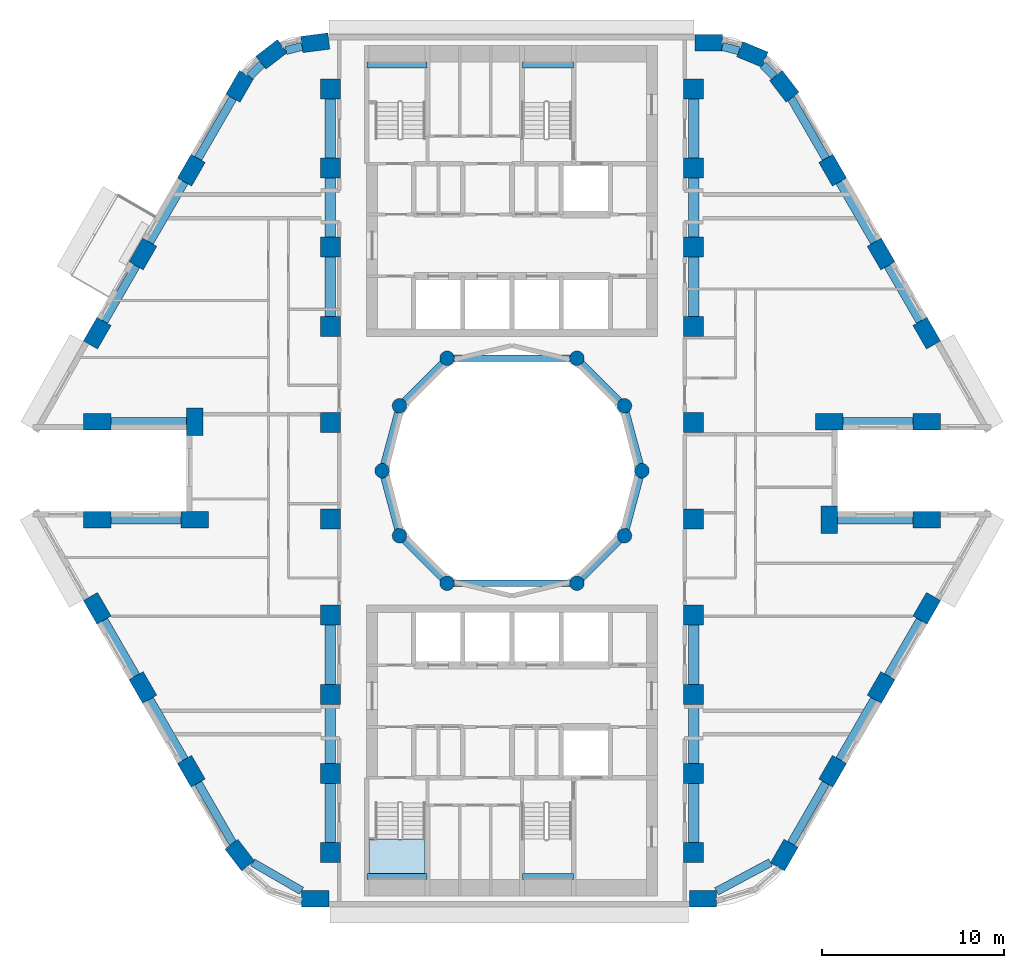
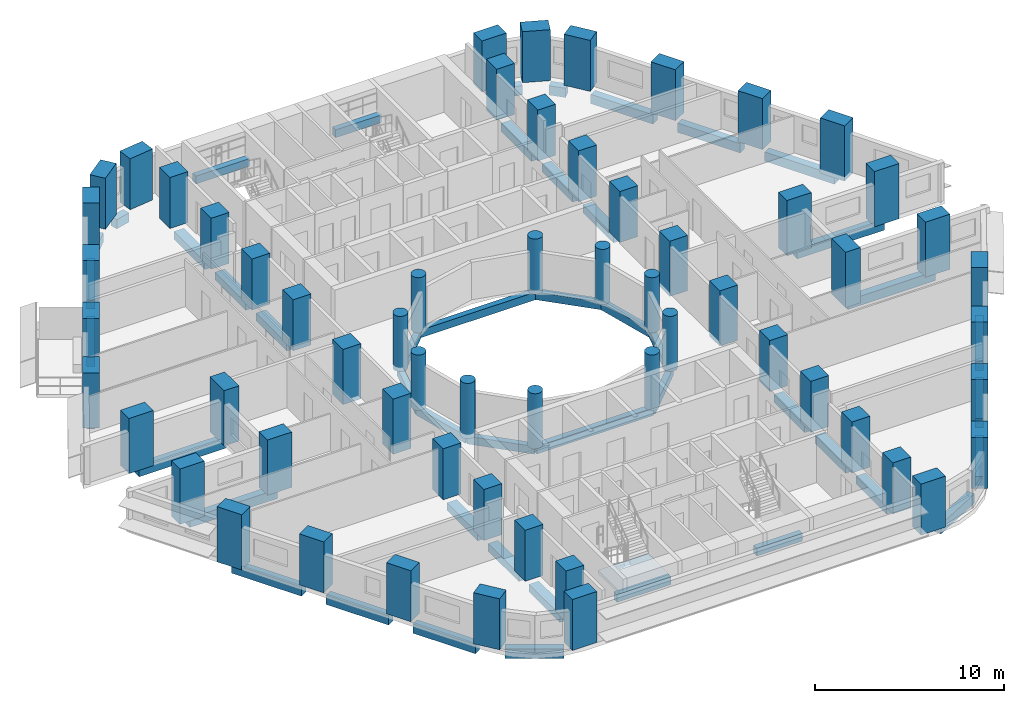
# One storey, part 1 of 13: 60 columns, 48 beams, 1 slab, 1 element without a shape of its own.
"""IFC4 building model written with IfcOpenShell, lengths in metres."""

from ifc_helpers import new_model, si_unit, direction, frame, origin, origin_2d, place, context, subcontext, project, spatial, polyline, rectangle, circle, outline, extrude, material, layer, layer_set, material_profile, profile_set, type_object, element, aggregate, save


model = new_model("IFC4")

# Units and contexts
model_context = context("Model", 3, precision=1e-05, world=origin(), true_north=direction((0.0, 1.0)))
body_context = subcontext(model_context, "Body", "Model", "MODEL_VIEW")
ifc_project = project(units=[si_unit("LENGTHUNIT", "METRE"), si_unit("AREAUNIT", "SQUARE_METRE"), si_unit("VOLUMEUNIT", "CUBIC_METRE"), si_unit("PLANEANGLEUNIT", "RADIAN"), si_unit("MASSUNIT", "GRAM", prefix="KILO")], contexts=[model_context])

# Site, building, storey
site_placement = place(None, origin())
site = spatial("IfcSite", under=ifc_project, at=site_placement, CompositionType="ELEMENT")
building_placement = place(site_placement, origin())
building = spatial("IfcBuilding", under=site, at=building_placement, Name="Nakaniwa Court", CompositionType="ELEMENT")
storey_placement = place(building_placement, frame((0.0, 0.0, 41.39990234375)))
storey = spatial("IfcBuildingStorey", under=building, at=storey_placement, Name="L10", CompositionType="ELEMENT", Elevation=41.39990234375)

# Columns
ifc_material_1 = material(Name="Concrete C100/115", Category="concrete")
ifc_material_profile_1 = material_profile(ifc_material_1, rectangle(XDim=1.10009765625, YDim=1.10009765625, at=origin_2d()), Name="Concrete C100/115 RC 1100x1100 spine column")
ifc_profile_set_1 = profile_set([ifc_material_profile_1], Name="Concrete C100/115")
column_type_1 = type_object("IfcColumnType", Name="Concrete C100/115 RC 1100x1100 spine column", PredefinedType="COLUMN", material=ifc_profile_set_1)
for number, where, z_axis, x_axis, name in (
    (1, (90.0, 59.0, 0.0), (0.0, 0.0, 1.0), (0.0, 1.0, 0.0), "COLUMN CS-01"),
    (2, (90.0, 63.35009765625, 0.0), (0.0, 0.0, 1.0), (0.0, 1.0, 0.0), "COLUMN CS-02"),
    (3, (90.0, 67.699951171875, 0.0), (0.0, 0.0, 1.0), (0.0, 1.0, 0.0), "COLUMN CS-03"),
    (4, (90.0, 72.050048828125, 0.0), (0.0, 0.0, 1.0), (0.0, 1.0, 0.0), "COLUMN CS-04"),
):
    element("IfcColumn", number, at=place(storey_placement, frame(where, z_axis=z_axis, x_axis=x_axis)), inside=storey, type_object=column_type_1, Name=name, PredefinedType="COLUMN", context=body_context, shape_type="SweptSolid", body=[
        extrude(rectangle(XDim=1.10009765625, YDim=1.10009765625, at=origin_2d()), origin(), (0.0, 0.0, 1.0), 3.300048828125),
    ])
for number, where, z_axis, x_axis, name in (
    (5, (90.0, 77.35009765625, -0.27490234375), (0.0, 0.0, 1.0), (0.0, 1.0, 0.0), "COLUMN CS-05"),
    (6, (90.0, 82.64990234375, -0.27490234375), (0.0, 0.0, 1.0), (0.0, 1.0, 0.0), "COLUMN CS-06"),
):
    element("IfcColumn", number, at=place(storey_placement, frame(where, z_axis=z_axis, x_axis=x_axis)), inside=storey, type_object=column_type_1, Name=name, PredefinedType="COLUMN", context=body_context, shape_type="SweptSolid", body=[
        extrude(rectangle(XDim=1.10009765625, YDim=1.10009765625, at=origin_2d()), origin(), (0.0, 0.0, 1.0), 3.574951171875),
    ])
for number, where, z_axis, x_axis, name in (
    (7, (90.0, 87.949951171875, 0.0), (0.0, 0.0, 1.0), (0.0, 1.0, 0.0), "COLUMN CS-07"),
    (8, (90.0, 92.300048828125, 0.0), (0.0, 0.0, 1.0), (0.0, 1.0, 0.0), "COLUMN CS-08"),
    (9, (90.0, 96.64990234375, 0.0), (0.0, 0.0, 1.0), (0.0, 1.0, 0.0), "COLUMN CS-09"),
    (10, (90.0, 101.0, 0.0), (0.0, 0.0, 1.0), (0.0, 1.0, 0.0), "COLUMN CS-10"),
    (11, (70.0, 101.0, 0.0), (0.0, 0.0, 1.0), (0.0, -1.0, 0.0), "COLUMN CS-11"),
    (12, (70.0, 96.64990234375, 0.0), (0.0, 0.0, 1.0), (0.0, -1.0, 0.0), "COLUMN CS-12"),
    (13, (70.0, 92.300048828125, 0.0), (0.0, 0.0, 1.0), (0.0, -1.0, 0.0), "COLUMN CS-13"),
    (14, (70.0, 87.949951171875, 0.0), (0.0, 0.0, 1.0), (0.0, -1.0, 0.0), "COLUMN CS-14"),
):
    element("IfcColumn", number, at=place(storey_placement, frame(where, z_axis=z_axis, x_axis=x_axis)), inside=storey, type_object=column_type_1, Name=name, PredefinedType="COLUMN", context=body_context, shape_type="SweptSolid", body=[
        extrude(rectangle(XDim=1.10009765625, YDim=1.10009765625, at=origin_2d()), origin(), (0.0, 0.0, 1.0), 3.300048828125),
    ])
for number, where, z_axis, x_axis, name in (
    (15, (70.0, 82.64990234375, -0.27490234375), (0.0, 0.0, 1.0), (0.0, -1.0, 0.0), "COLUMN CS-15"),
    (16, (70.0, 77.35009765625, -0.27490234375), (0.0, 0.0, 1.0), (0.0, -1.0, 0.0), "COLUMN CS-16"),
):
    element("IfcColumn", number, at=place(storey_placement, frame(where, z_axis=z_axis, x_axis=x_axis)), inside=storey, type_object=column_type_1, Name=name, PredefinedType="COLUMN", context=body_context, shape_type="SweptSolid", body=[
        extrude(rectangle(XDim=1.10009765625, YDim=1.10009765625, at=origin_2d()), origin(), (0.0, 0.0, 1.0), 3.574951171875),
    ])
for number, where, z_axis, x_axis, name in (
    (17, (70.0, 72.050048828125, 0.0), (0.0, 0.0, 1.0), (0.0, -1.0, 0.0), "COLUMN CS-17"),
    (18, (70.0, 67.699951171875, 0.0), (0.0, 0.0, 1.0), (0.0, -1.0, 0.0), "COLUMN CS-18"),
    (19, (70.0, 63.35009765625, 0.0), (0.0, 0.0, 1.0), (0.0, -1.0, 0.0), "COLUMN CS-19"),
    (20, (70.0, 59.0, 0.0), (0.0, 0.0, 1.0), (0.0, -1.0, 0.0), "COLUMN CS-20"),
):
    element("IfcColumn", number, at=place(storey_placement, frame(where, z_axis=z_axis, x_axis=x_axis)), inside=storey, type_object=column_type_1, Name=name, PredefinedType="COLUMN", context=body_context, shape_type="SweptSolid", body=[
        extrude(rectangle(XDim=1.10009765625, YDim=1.10009765625, at=origin_2d()), origin(), (0.0, 0.0, 1.0), 3.300048828125),
    ])
ifc_material_profile_2 = material_profile(ifc_material_1, rectangle(XDim=1.5, YDim=0.89990234375, at=origin_2d()), Name="Concrete C100/115 RC 1500x900 perimeter column")
ifc_profile_set_2 = profile_set([ifc_material_profile_2], Name="Concrete C100/115")
column_type_2 = type_object("IfcColumnType", Name="Concrete C100/115 RC 1500x900 perimeter column", PredefinedType="COLUMN", material=ifc_profile_set_2)
for number, where, z_axis, x_axis, name in (
    (21, (69.17529296875, 103.550048828125, 0.0), (0.0, 0.0, 1.0), (-0.991442583111, -0.130543496177, 0.0), "COLUMN CO-01"),
    (22, (66.772705078125, 102.91015625, 0.0), (0.0, 0.0, 1.0), (-0.793363965062, -0.608747582288, 0.0), "COLUMN CO-02"),
    (23, (65.017578125, 101.1494140625, 0.0), (0.0, 0.0, 1.0), (-0.5, -0.866025403784, 0.0), "COLUMN CO-03"),
    (24, (62.3544921875, 96.537109375, 0.0), (0.0, 0.0, 1.0), (-0.5, -0.866025403784, 0.0), "COLUMN CO-04"),
    (25, (59.691650390625, 91.9248046875, 0.0), (0.0, 0.0, 1.0), (-0.5, -0.866025403784, 0.0), "COLUMN CO-05"),
):
    element("IfcColumn", number, at=place(storey_placement, frame(where, z_axis=z_axis, x_axis=x_axis)), inside=storey, type_object=column_type_2, Name=name, PredefinedType="COLUMN", context=body_context, shape_type="SweptSolid", body=[
        extrude(rectangle(XDim=1.5, YDim=0.89990234375, at=origin_2d()), origin(), (0.0, 0.0, 1.0), 3.300048828125),
    ])
for number, where, z_axis, x_axis, name in (
    (26, (57.177001953125, 87.569580078125, -0.27490234375), (0.0, 0.0, 1.0), (-0.5, -0.866025403784, 0.0), "COLUMN CO-06"),
    (27, (57.177001953125, 82.699951171875, -0.27490234375), (0.0, 0.0, 1.0), (1.0, 0.0, 0.0), "COLUMN CO-08"),
    (28, (62.54150390625, 82.699951171875, -0.27490234375), (0.0, 0.0, 1.0), (0.0, -1.0, 0.0), "COLUMN CO-09"),
    (29, (62.54150390625, 77.300048828125, -0.27490234375), (0.0, 0.0, 1.0), (-1.0, 0.0, 0.0), "COLUMN CO-10"),
    (30, (57.177001953125, 77.300048828125, -0.27490234375), (0.0, 0.0, 1.0), (-1.0, 0.0, 0.0), "COLUMN CO-11"),
    (31, (57.177001953125, 72.430419921875, -0.27490234375), (0.0, 0.0, 1.0), (0.5, -0.866025403784, 0.0), "COLUMN CO-13"),
):
    element("IfcColumn", number, at=place(storey_placement, frame(where, z_axis=z_axis, x_axis=x_axis)), inside=storey, type_object=column_type_2, Name=name, PredefinedType="COLUMN", context=body_context, shape_type="SweptSolid", body=[
        extrude(rectangle(XDim=1.5, YDim=0.89990234375, at=origin_2d()), origin(), (0.0, 0.0, 1.0), 3.574951171875),
    ])
for number, where, z_axis, x_axis, name in (
    (32, (59.691650390625, 68.0751953125, 0.0), (0.0, 0.0, 1.0), (0.5, -0.866025403784, 0.0), "COLUMN CO-14"),
    (33, (62.3544921875, 63.462890625, 0.0), (0.0, 0.0, 1.0), (0.5, -0.866025403784, 0.0), "COLUMN CO-15"),
    (34, (65.017578125, 58.8505859375, 0.0), (0.0, 0.0, 1.0), (0.608761429009, -0.793353340291, 0.0), "COLUMN CO-16"),
    (35, (69.17529296875, 56.449951171875, 0.0), (0.0, 0.0, 1.0), (1.0, 0.0, 0.0), "COLUMN CO-17"),
    (36, (90.507080078125, 56.449951171875, 0.0), (0.0, 0.0, 1.0), (1.0, 0.0, 0.0), "COLUMN CO-21"),
    (37, (94.982421875, 58.8505859375, 0.0), (0.0, 0.0, 1.0), (0.5, 0.866025403784, 0.0), "COLUMN CO-22"),
    (38, (97.6455078125, 63.462890625, 0.0), (0.0, 0.0, 1.0), (0.5, 0.866025403784, 0.0), "COLUMN CO-23"),
    (39, (100.308349609375, 68.0751953125, 0.0), (0.0, 0.0, 1.0), (0.5, 0.866025403784, 0.0), "COLUMN CO-24"),
):
    element("IfcColumn", number, at=place(storey_placement, frame(where, z_axis=z_axis, x_axis=x_axis)), inside=storey, type_object=column_type_2, Name=name, PredefinedType="COLUMN", context=body_context, shape_type="SweptSolid", body=[
        extrude(rectangle(XDim=1.5, YDim=0.89990234375, at=origin_2d()), origin(), (0.0, 0.0, 1.0), 3.300048828125),
    ])
for number, where, z_axis, x_axis, name in (
    (40, (102.822998046875, 72.430419921875, -0.27490234375), (0.0, 0.0, 1.0), (0.5, 0.866025403784, 0.0), "COLUMN CO-25"),
    (41, (102.822998046875, 77.300048828125, -0.27490234375), (0.0, 0.0, 1.0), (-1.0, 0.0, 0.0), "COLUMN CO-27"),
    (42, (97.45849609375, 77.300048828125, -0.27490234375), (0.0, 0.0, 1.0), (0.0, 1.0, 0.0), "COLUMN CO-28"),
    (43, (97.45849609375, 82.699951171875, -0.27490234375), (0.0, 0.0, 1.0), (1.0, 0.0, 0.0), "COLUMN CO-29"),
    (44, (102.822998046875, 82.699951171875, -0.27490234375), (0.0, 0.0, 1.0), (1.0, 0.0, 0.0), "COLUMN CO-30"),
    (45, (102.822998046875, 87.569580078125, -0.27490234375), (0.0, 0.0, 1.0), (-0.5, 0.866025403784, 0.0), "COLUMN CO-32"),
):
    element("IfcColumn", number, at=place(storey_placement, frame(where, z_axis=z_axis, x_axis=x_axis)), inside=storey, type_object=column_type_2, Name=name, PredefinedType="COLUMN", context=body_context, shape_type="SweptSolid", body=[
        extrude(rectangle(XDim=1.5, YDim=0.89990234375, at=origin_2d()), origin(), (0.0, 0.0, 1.0), 3.574951171875),
    ])
for number, where, z_axis, x_axis, name in (
    (46, (100.308349609375, 91.9248046875, 0.0), (0.0, 0.0, 1.0), (-0.5, 0.866025403784, 0.0), "COLUMN CO-33"),
    (47, (97.6455078125, 96.537109375, 0.0), (0.0, 0.0, 1.0), (-0.5, 0.866025403784, 0.0), "COLUMN CO-34"),
    (48, (94.982421875, 101.1494140625, 0.0), (0.0, 0.0, 1.0), (-0.608761429009, 0.793353340291, 0.0), "COLUMN CO-35"),
    (49, (93.227294921875, 102.91015625, 0.0), (0.0, 0.0, 1.0), (-0.923879532511, 0.382683432365, 0.0), "COLUMN CO-36"),
    (50, (90.82470703125, 103.550048828125, 0.0), (0.0, 0.0, 1.0), (-1.0, 0.0, 0.0), "COLUMN CO-37"),
):
    element("IfcColumn", number, at=place(storey_placement, frame(where, z_axis=z_axis, x_axis=x_axis)), inside=storey, type_object=column_type_2, Name=name, PredefinedType="COLUMN", context=body_context, shape_type="SweptSolid", body=[
        extrude(rectangle(XDim=1.5, YDim=0.89990234375, at=origin_2d()), origin(), (0.0, 0.0, 1.0), 3.300048828125),
    ])
ifc_material_profile_3 = material_profile(ifc_material_1, circle(Radius=0.39990234375, at=origin_2d()), Name="Concrete C100/115 RC D800 inner ring column")
ifc_profile_set_3 = profile_set([ifc_material_profile_3], Name="Concrete C100/115")
column_type_3 = type_object("IfcColumnType", Name="Concrete C100/115 RC D800 inner ring column", PredefinedType="COLUMN", material=ifc_profile_set_3)
for number, where, z_axis, x_axis, name in (
    (51, (87.14990234375, 80.0, -0.27490234375), (0.0, 0.0, 1.0), (0.0, 1.0, 0.0), "COLUMN CI-01"),
    (52, (86.192138671875, 83.574951171875, -0.27490234375), (0.0, 0.0, 1.0), (-0.5, 0.866025403784, 0.0), "COLUMN CI-02"),
    (53, (83.574951171875, 86.192138671875, -0.27490234375), (0.0, 0.0, 1.0), (-0.866025403784, 0.5, 0.0), "COLUMN CI-03"),
    (54, (76.425048828125, 86.192138671875, -0.27490234375), (0.0, 0.0, 1.0), (-0.866025403784, -0.5, 0.0), "COLUMN CI-05"),
    (55, (73.807861328125, 83.574951171875, -0.27490234375), (0.0, 0.0, 1.0), (-0.5, -0.866025403784, 0.0), "COLUMN CI-06"),
    (56, (72.85009765625, 80.0, -0.27490234375), (0.0, 0.0, 1.0), (0.0, -1.0, 0.0), "COLUMN CI-07"),
    (57, (73.807861328125, 76.425048828125, -0.27490234375), (0.0, 0.0, 1.0), (0.5, -0.866025403784, 0.0), "COLUMN CI-08"),
    (58, (76.425048828125, 73.807861328125, -0.27490234375), (0.0, 0.0, 1.0), (0.866025403784, -0.5, 0.0), "COLUMN CI-09"),
    (59, (83.574951171875, 73.807861328125, -0.27490234375), (0.0, 0.0, 1.0), (0.866025403784, 0.5, 0.0), "COLUMN CI-11"),
    (60, (86.192138671875, 76.425048828125, -0.27490234375), (0.0, 0.0, 1.0), (0.5, 0.866025403784, 0.0), "COLUMN CI-12"),
):
    element("IfcColumn", number, at=place(storey_placement, frame(where, z_axis=z_axis, x_axis=x_axis)), inside=storey, type_object=column_type_3, Name=name, PredefinedType="COLUMN", context=body_context, shape_type="SweptSolid", body=[
        extrude(circle(Radius=0.39990234375, at=origin_2d()), origin(), (0.0, 0.0, 1.0), 3.574951171875),
    ])

# Beams
ifc_material_profile_4 = material_profile(ifc_material_1, rectangle(XDim=0.35009765625, YDim=0.5, at=origin_2d()), Name="Concrete C100/115 RC 350x500 ring beam")
ifc_profile_set_4 = profile_set([ifc_material_profile_4], Name="Concrete C100/115")
beam_type_1 = type_object("IfcBeamType", Name="Concrete C100/115 RC 350x500 ring beam", PredefinedType="BEAM", material=ifc_profile_set_4)
beam_1_placement = place(storey_placement, frame((87.14990234375, 80.0, -0.52490234375), z_axis=(-0.25878334625, 0.965935391061, 0.0), x_axis=(-0.965935391061, -0.25878334625, 0.0)))
element("IfcBeam", 61, at=beam_1_placement, inside=storey, type_object=beam_type_1, Name="RING BEAM", PredefinedType="BEAM", context=body_context, shape_type="SweptSolid", body=[
    extrude(rectangle(XDim=0.35009765625, YDim=0.5, at=origin_2d()), origin(), (0.0, 0.0, 1.0), 3.700927734375),
])
beam_2_placement = place(storey_placement, frame((86.192138671875, 83.574951171875, -0.52490234375), z_axis=(-0.707106781187, 0.707106781187, 0.0), x_axis=(-0.707106781187, -0.707106781187, 0.0)))
element("IfcBeam", 62, at=beam_2_placement, inside=storey, type_object=beam_type_1, Name="RING BEAM", PredefinedType="BEAM", context=body_context, shape_type="SweptSolid", body=[
    extrude(rectangle(XDim=0.35009765625, YDim=0.5, at=origin_2d()), origin(), (0.0, 0.0, 1.0), 3.701171875),
])
beam_3_placement = place(storey_placement, frame((83.574951171875, 86.192138671875, -0.52490234375), z_axis=(-1.0, 0.0, 0.0), x_axis=(0.0, -1.0, 0.0)))
element("IfcBeam", 63, at=beam_3_placement, inside=storey, type_object=beam_type_1, Name="RING BEAM", PredefinedType="BEAM", context=body_context, shape_type="SweptSolid", body=[
    extrude(rectangle(XDim=0.35009765625, YDim=0.5, at=origin_2d()), origin(), (0.0, 0.0, 1.0), 7.14990234375),
])
beam_4_placement = place(storey_placement, frame((76.425048828125, 86.192138671875, -0.52490234375), z_axis=(-0.707106781187, -0.707106781187, 0.0), x_axis=(0.707106781187, -0.707106781187, 0.0)))
element("IfcBeam", 64, at=beam_4_placement, inside=storey, type_object=beam_type_1, Name="RING BEAM", PredefinedType="BEAM", context=body_context, shape_type="SweptSolid", body=[
    extrude(rectangle(XDim=0.35009765625, YDim=0.5, at=origin_2d()), origin(), (0.0, 0.0, 1.0), 3.701171875),
])
for number, where, z_axis, x_axis, name in (
    (65, (73.807861328125, 83.574951171875, -0.52490234375), (-0.25878334625, -0.965935391061, 0.0), (0.965935391061, -0.25878334625, 0.0), "RING BEAM"),
    (66, (72.85009765625, 80.0, -0.52490234375), (0.25878334625, -0.965935391061, 0.0), (0.965935391061, 0.25878334625, 0.0), "RING BEAM"),
):
    element("IfcBeam", number, at=place(storey_placement, frame(where, z_axis=z_axis, x_axis=x_axis)), inside=storey, type_object=beam_type_1, Name=name, PredefinedType="BEAM", context=body_context, shape_type="SweptSolid", body=[
        extrude(rectangle(XDim=0.35009765625, YDim=0.5, at=origin_2d()), origin(), (0.0, 0.0, 1.0), 3.700927734375),
    ])
beam_5_placement = place(storey_placement, frame((73.807861328125, 76.425048828125, -0.52490234375), z_axis=(0.707106781187, -0.707106781187, 0.0), x_axis=(0.707106781187, 0.707106781187, 0.0)))
element("IfcBeam", 67, at=beam_5_placement, inside=storey, type_object=beam_type_1, Name="RING BEAM", PredefinedType="BEAM", context=body_context, shape_type="SweptSolid", body=[
    extrude(rectangle(XDim=0.35009765625, YDim=0.5, at=origin_2d()), origin(), (0.0, 0.0, 1.0), 3.701171875),
])
beam_6_placement = place(storey_placement, frame((76.425048828125, 73.807861328125, -0.52490234375), z_axis=(1.0, 0.0, 0.0), x_axis=(0.0, 1.0, 0.0)))
element("IfcBeam", 68, at=beam_6_placement, inside=storey, type_object=beam_type_1, Name="RING BEAM", PredefinedType="BEAM", context=body_context, shape_type="SweptSolid", body=[
    extrude(rectangle(XDim=0.35009765625, YDim=0.5, at=origin_2d()), origin(), (0.0, 0.0, 1.0), 7.14990234375),
])
beam_7_placement = place(storey_placement, frame((83.574951171875, 73.807861328125, -0.52490234375), z_axis=(0.707106781187, 0.707106781187, 0.0), x_axis=(-0.707106781187, 0.707106781187, 0.0)))
element("IfcBeam", 69, at=beam_7_placement, inside=storey, type_object=beam_type_1, Name="RING BEAM", PredefinedType="BEAM", context=body_context, shape_type="SweptSolid", body=[
    extrude(rectangle(XDim=0.35009765625, YDim=0.5, at=origin_2d()), origin(), (0.0, 0.0, 1.0), 3.701171875),
])
beam_8_placement = place(storey_placement, frame((86.192138671875, 76.425048828125, -0.52490234375), z_axis=(0.25878334625, 0.965935391061, 0.0), x_axis=(-0.965935391061, 0.25878334625, 0.0)))
element("IfcBeam", 70, at=beam_8_placement, inside=storey, type_object=beam_type_1, Name="RING BEAM", PredefinedType="BEAM", context=body_context, shape_type="SweptSolid", body=[
    extrude(rectangle(XDim=0.35009765625, YDim=0.5, at=origin_2d()), origin(), (0.0, 0.0, 1.0), 3.700927734375),
])
ifc_material_profile_5 = material_profile(ifc_material_1, rectangle(XDim=0.449951171875, YDim=0.60009765625, at=origin_2d()), Name="Concrete C100/115 RC 450x600 spandrel beam")
ifc_profile_set_5 = profile_set([ifc_material_profile_5], Name="Concrete C100/115")
beam_type_2 = type_object("IfcBeamType", Name="Concrete C100/115 RC 450x600 spandrel beam", PredefinedType="BEAM", material=ifc_profile_set_5)
beam_9_placement = place(storey_placement, frame((68.444580078125, 103.35546875, -0.574951171875), z_axis=(-0.966287893493, -0.25746399144, 0.0), x_axis=(0.25746399144, -0.966287893493, 0.0)))
element("IfcBeam", 71, at=beam_9_placement, inside=storey, type_object=beam_type_2, Name="SPANDREL BEAM", PredefinedType="BEAM", context=body_context, shape_type="SweptSolid", body=[
    extrude(rectangle(XDim=0.449951171875, YDim=0.60009765625, at=origin_2d()), origin(), (0.0, 0.0, 1.0), 0.91796875),
])
beam_10_placement = place(storey_placement, frame((66.238525390625, 102.374267578125, -0.574951171875), z_axis=(-0.706081618928, -0.708130459317, 0.0), x_axis=(0.708130459317, -0.706081618928, 0.0)))
element("IfcBeam", 72, at=beam_10_placement, inside=storey, type_object=beam_type_2, Name="SPANDREL BEAM", PredefinedType="BEAM", context=body_context, shape_type="SweptSolid", body=[
    extrude(rectangle(XDim=0.449951171875, YDim=0.60009765625, at=origin_2d()), origin(), (0.0, 0.0, 1.0), 0.953369140625),
])
beam_11_placement = place(storey_placement, frame((64.642578125, 100.5, -0.574951171875), z_axis=(-0.500009674092, -0.866019818373, 0.0), x_axis=(0.866019818373, -0.500009674092, 0.0)))
element("IfcBeam", 73, at=beam_11_placement, inside=storey, type_object=beam_type_2, Name="SPANDREL BEAM", PredefinedType="BEAM", context=body_context, shape_type="SweptSolid", body=[
    extrude(rectangle(XDim=0.449951171875, YDim=0.60009765625, at=origin_2d()), origin(), (0.0, 0.0, 1.0), 3.826171875),
])
beam_12_placement = place(storey_placement, frame((61.9794921875, 95.8876953125, -0.574951171875), z_axis=(-0.499961815444, -0.866047448526, 0.0), x_axis=(0.866047448526, -0.499961815444, 0.0)))
element("IfcBeam", 74, at=beam_12_placement, inside=storey, type_object=beam_type_2, Name="SPANDREL BEAM", PredefinedType="BEAM", context=body_context, shape_type="SweptSolid", body=[
    extrude(rectangle(XDim=0.449951171875, YDim=0.60009765625, at=origin_2d()), origin(), (0.0, 0.0, 1.0), 3.825927734375),
])
beam_13_placement = place(storey_placement, frame((59.316650390625, 91.275146484375, -0.574951171875), z_axis=(-0.50004183374, -0.866001249716, 0.0), x_axis=(0.866001249716, -0.50004183374, 0.0)))
element("IfcBeam", 75, at=beam_13_placement, inside=storey, type_object=beam_type_2, Name="SPANDREL BEAM", PredefinedType="BEAM", context=body_context, shape_type="SweptSolid", body=[
    extrude(rectangle(XDim=0.449951171875, YDim=0.60009765625, at=origin_2d()), origin(), (0.0, 0.0, 1.0), 4.279052734375),
])
for number, where, z_axis, x_axis, name in (
    (76, (57.177001953125, 82.699951171875, -0.574951171875), (1.0, 0.0, 0.0), (0.0, 1.0, 0.0), "SPANDREL BEAM"),
    (77, (62.54150390625, 77.300048828125, -0.574951171875), (-1.0, 0.0, 0.0), (0.0, -1.0, 0.0), "SPANDREL BEAM"),
):
    element("IfcBeam", number, at=place(storey_placement, frame(where, z_axis=z_axis, x_axis=x_axis)), inside=storey, type_object=beam_type_2, Name=name, PredefinedType="BEAM", context=body_context, shape_type="SweptSolid", body=[
        extrude(rectangle(XDim=0.449951171875, YDim=0.60009765625, at=origin_2d()), origin(), (0.0, 0.0, 1.0), 5.364501953125),
    ])
beam_14_placement = place(storey_placement, frame((57.177001953125, 72.430419921875, -0.574951171875), z_axis=(0.50004183374, -0.866001249716, 0.0), x_axis=(0.866001249716, 0.50004183374, 0.0)))
element("IfcBeam", 78, at=beam_14_placement, inside=storey, type_object=beam_type_2, Name="SPANDREL BEAM", PredefinedType="BEAM", context=body_context, shape_type="SweptSolid", body=[
    extrude(rectangle(XDim=0.449951171875, YDim=0.60009765625, at=origin_2d()), origin(), (0.0, 0.0, 1.0), 4.279052734375),
])
beam_15_placement = place(storey_placement, frame((60.066650390625, 67.42578125, -0.574951171875), z_axis=(0.499961815444, -0.866047448526, 0.0), x_axis=(0.866047448526, 0.499961815444, 0.0)))
element("IfcBeam", 79, at=beam_15_placement, inside=storey, type_object=beam_type_2, Name="SPANDREL BEAM", PredefinedType="BEAM", context=body_context, shape_type="SweptSolid", body=[
    extrude(rectangle(XDim=0.449951171875, YDim=0.60009765625, at=origin_2d()), origin(), (0.0, 0.0, 1.0), 3.825927734375),
])
beam_16_placement = place(storey_placement, frame((62.7294921875, 62.8134765625, -0.574951171875), z_axis=(0.500023067617, -0.86601208528, 0.0), x_axis=(0.86601208528, 0.500023067617, 0.0)))
element("IfcBeam", 80, at=beam_16_placement, inside=storey, type_object=beam_type_2, Name="SPANDREL BEAM", PredefinedType="BEAM", context=body_context, shape_type="SweptSolid", body=[
    extrude(rectangle(XDim=0.449951171875, YDim=0.60009765625, at=origin_2d()), origin(), (0.0, 0.0, 1.0), 3.819580078125),
])
beam_17_placement = place(storey_placement, frame((65.720458984375, 58.444580078125, -0.574951171875), z_axis=(0.866041096587, -0.499972818284, 0.0), x_axis=(0.499972818284, 0.866041096587, 0.0)))
element("IfcBeam", 81, at=beam_17_placement, inside=storey, type_object=beam_type_2, Name="SPANDREL BEAM", PredefinedType="BEAM", context=body_context, shape_type="SweptSolid", body=[
    extrude(rectangle(XDim=0.449951171875, YDim=0.60009765625, at=origin_2d()), origin(), (0.0, 0.0, 1.0), 3.123291015625),
])
beam_18_placement = place(storey_placement, frame((91.257080078125, 56.852294921875, -0.574951171875), z_axis=(0.881234537383, 0.472679267711, 0.0), x_axis=(-0.472679267711, 0.881234537383, 0.0)))
element("IfcBeam", 82, at=beam_18_placement, inside=storey, type_object=beam_type_2, Name="SPANDREL BEAM", PredefinedType="BEAM", context=body_context, shape_type="SweptSolid", body=[
    extrude(rectangle(XDim=0.449951171875, YDim=0.60009765625, at=origin_2d()), origin(), (0.0, 0.0, 1.0), 3.373291015625),
])
beam_19_placement = place(storey_placement, frame((95.357421875, 59.5, -0.574951171875), z_axis=(0.500009674092, 0.866019818373, 0.0), x_axis=(-0.866019818373, 0.500009674092, 0.0)))
element("IfcBeam", 83, at=beam_19_placement, inside=storey, type_object=beam_type_2, Name="SPANDREL BEAM", PredefinedType="BEAM", context=body_context, shape_type="SweptSolid", body=[
    extrude(rectangle(XDim=0.449951171875, YDim=0.60009765625, at=origin_2d()), origin(), (0.0, 0.0, 1.0), 3.826171875),
])
beam_20_placement = place(storey_placement, frame((98.0205078125, 64.1123046875, -0.574951171875), z_axis=(0.499961815444, 0.866047448526, 0.0), x_axis=(-0.866047448526, 0.499961815444, 0.0)))
element("IfcBeam", 84, at=beam_20_placement, inside=storey, type_object=beam_type_2, Name="SPANDREL BEAM", PredefinedType="BEAM", context=body_context, shape_type="SweptSolid", body=[
    extrude(rectangle(XDim=0.449951171875, YDim=0.60009765625, at=origin_2d()), origin(), (0.0, 0.0, 1.0), 3.825927734375),
])
beam_21_placement = place(storey_placement, frame((100.683349609375, 68.724853515625, -0.574951171875), z_axis=(0.50004183374, 0.866001249716, 0.0), x_axis=(-0.866001249716, 0.50004183374, 0.0)))
element("IfcBeam", 85, at=beam_21_placement, inside=storey, type_object=beam_type_2, Name="SPANDREL BEAM", PredefinedType="BEAM", context=body_context, shape_type="SweptSolid", body=[
    extrude(rectangle(XDim=0.449951171875, YDim=0.60009765625, at=origin_2d()), origin(), (0.0, 0.0, 1.0), 4.279052734375),
])
for number, where, z_axis, x_axis, name in (
    (86, (102.822998046875, 77.300048828125, -0.574951171875), (-1.0, 0.0, 0.0), (0.0, -1.0, 0.0), "SPANDREL BEAM"),
    (87, (97.45849609375, 82.699951171875, -0.574951171875), (1.0, 0.0, 0.0), (0.0, 1.0, 0.0), "SPANDREL BEAM"),
):
    element("IfcBeam", number, at=place(storey_placement, frame(where, z_axis=z_axis, x_axis=x_axis)), inside=storey, type_object=beam_type_2, Name=name, PredefinedType="BEAM", context=body_context, shape_type="SweptSolid", body=[
        extrude(rectangle(XDim=0.449951171875, YDim=0.60009765625, at=origin_2d()), origin(), (0.0, 0.0, 1.0), 5.364501953125),
    ])
beam_22_placement = place(storey_placement, frame((102.822998046875, 87.569580078125, -0.574951171875), z_axis=(-0.50004183374, 0.866001249716, 0.0), x_axis=(-0.866001249716, -0.50004183374, 0.0)))
element("IfcBeam", 88, at=beam_22_placement, inside=storey, type_object=beam_type_2, Name="SPANDREL BEAM", PredefinedType="BEAM", context=body_context, shape_type="SweptSolid", body=[
    extrude(rectangle(XDim=0.449951171875, YDim=0.60009765625, at=origin_2d()), origin(), (0.0, 0.0, 1.0), 4.279052734375),
])
beam_23_placement = place(storey_placement, frame((99.933349609375, 92.57421875, -0.574951171875), z_axis=(-0.499961815444, 0.866047448526, 0.0), x_axis=(-0.866047448526, -0.499961815444, 0.0)))
element("IfcBeam", 89, at=beam_23_placement, inside=storey, type_object=beam_type_2, Name="SPANDREL BEAM", PredefinedType="BEAM", context=body_context, shape_type="SweptSolid", body=[
    extrude(rectangle(XDim=0.449951171875, YDim=0.60009765625, at=origin_2d()), origin(), (0.0, 0.0, 1.0), 3.825927734375),
])
beam_24_placement = place(storey_placement, frame((97.2705078125, 97.1865234375, -0.574951171875), z_axis=(-0.500023067617, 0.86601208528, 0.0), x_axis=(-0.86601208528, -0.500023067617, 0.0)))
element("IfcBeam", 90, at=beam_24_placement, inside=storey, type_object=beam_type_2, Name="SPANDREL BEAM", PredefinedType="BEAM", context=body_context, shape_type="SweptSolid", body=[
    extrude(rectangle(XDim=0.449951171875, YDim=0.60009765625, at=origin_2d()), origin(), (0.0, 0.0, 1.0), 3.819580078125),
])
beam_25_placement = place(storey_placement, frame((94.448486328125, 101.68505859375, -0.574951171875), z_axis=(-0.705908410536, 0.708303124329, 0.0), x_axis=(-0.708303124329, -0.705908410536, 0.0)))
element("IfcBeam", 91, at=beam_25_placement, inside=storey, type_object=beam_type_2, Name="SPANDREL BEAM", PredefinedType="BEAM", context=body_context, shape_type="SweptSolid", body=[
    extrude(rectangle(XDim=0.449951171875, YDim=0.60009765625, at=origin_2d()), origin(), (0.0, 0.0, 1.0), 0.91748046875),
])
beam_26_placement = place(storey_placement, frame((92.49609375, 103.10498046875, -0.574951171875), z_axis=(-0.966324126494, 0.257327966912, 0.0), x_axis=(-0.257327966912, -0.966324126494, 0.0)))
element("IfcBeam", 92, at=beam_26_placement, inside=storey, type_object=beam_type_2, Name="SPANDREL BEAM", PredefinedType="BEAM", context=body_context, shape_type="SweptSolid", body=[
    extrude(rectangle(XDim=0.449951171875, YDim=0.60009765625, at=origin_2d()), origin(), (0.0, 0.0, 1.0), 0.95361328125),
])
ifc_material_profile_6 = material_profile(ifc_material_1, rectangle(XDim=0.60009765625, YDim=0.5, at=origin_2d()), Name="Concrete C100/115 RC 600x500 ring beam")
ifc_profile_set_6 = profile_set([ifc_material_profile_6], Name="Concrete C100/115")
beam_type_3 = type_object("IfcBeamType", Name="Concrete C100/115 RC 600x500 ring beam", PredefinedType="BEAM", material=ifc_profile_set_6)
for number, where, z_axis, x_axis, name in (
    (93, (90.0, 59.550048828125, -0.52490234375), (0.0, 1.0, 0.0), (-1.0, 0.0, 0.0), "RING BEAM"),
    (94, (90.0, 63.89990234375, -0.52490234375), (0.0, 1.0, 0.0), (-1.0, 0.0, 0.0), "RING BEAM"),
    (95, (90.0, 68.25, -0.52490234375), (0.0, 1.0, 0.0), (-1.0, 0.0, 0.0), "RING BEAM"),
    (96, (90.0, 88.5, -0.52490234375), (0.0, 1.0, 0.0), (-1.0, 0.0, 0.0), "RING BEAM"),
    (97, (90.0, 92.85009765625, -0.52490234375), (0.0, 1.0, 0.0), (-1.0, 0.0, 0.0), "RING BEAM"),
    (98, (90.0, 97.199951171875, -0.52490234375), (0.0, 1.0, 0.0), (-1.0, 0.0, 0.0), "RING BEAM"),
    (99, (70.0, 100.449951171875, -0.52490234375), (0.0, -1.0, 0.0), (1.0, 0.0, 0.0), "RING BEAM"),
    (100, (70.0, 96.10009765625, -0.52490234375), (0.0, -1.0, 0.0), (1.0, 0.0, 0.0), "RING BEAM"),
    (101, (70.0, 91.75, -0.52490234375), (0.0, -1.0, 0.0), (1.0, 0.0, 0.0), "RING BEAM"),
    (102, (70.0, 71.5, -0.52490234375), (0.0, -1.0, 0.0), (1.0, 0.0, 0.0), "RING BEAM"),
    (103, (70.0, 67.14990234375, -0.52490234375), (0.0, -1.0, 0.0), (1.0, 0.0, 0.0), "RING BEAM"),
    (104, (70.0, 62.800048828125, -0.52490234375), (0.0, -1.0, 0.0), (1.0, 0.0, 0.0), "RING BEAM"),
):
    element("IfcBeam", number, at=place(storey_placement, frame(where, z_axis=z_axis, x_axis=x_axis)), inside=storey, type_object=beam_type_3, Name=name, PredefinedType="BEAM", context=body_context, shape_type="SweptSolid", body=[
        extrude(rectangle(XDim=0.60009765625, YDim=0.5, at=origin_2d()), origin(), (0.0, 0.0, 1.0), 3.25),
    ])
ifc_material_2 = material(Name="Concrete C80/100", Category="concrete")
ifc_material_profile_7 = material_profile(ifc_material_2, rectangle(XDim=0.35009765625, YDim=0.5, at=origin_2d()), Name="Concrete C80/100 RC 350x500 landing ledge beam")
ifc_profile_set_7 = profile_set([ifc_material_profile_7], Name="Concrete C80/100")
beam_type_4 = type_object("IfcBeamType", Name="Concrete C80/100 RC 350x500 landing ledge beam", PredefinedType="BEAM", material=ifc_profile_set_7)
beam_27_placement = place(storey_placement, frame((72.02490234375, 102.324951171875, 1.2001953125), z_axis=(1.0, 0.0, 0.0), x_axis=(0.0, 1.0, 0.0)))
element("IfcBeam", 105, at=beam_27_placement, inside=storey, type_object=beam_type_4, Name="LANDING LEDGE BEAM", PredefinedType="BEAM", context=body_context, shape_type="SweptSolid", body=[
    extrude(rectangle(XDim=0.35009765625, YDim=0.5, at=origin_2d()), origin(), (0.0, 0.0, 1.0), 3.300048828125),
])
beam_28_placement = place(storey_placement, frame((80.574951171875, 102.324951171875, 1.2001953125), z_axis=(1.0, 0.0, 0.0), x_axis=(0.0, 1.0, 0.0)))
element("IfcBeam", 106, at=beam_28_placement, inside=storey, type_object=beam_type_4, Name="LANDING LEDGE BEAM", PredefinedType="BEAM", context=body_context, shape_type="SweptSolid", body=[
    extrude(rectangle(XDim=0.35009765625, YDim=0.5, at=origin_2d()), origin(), (0.0, 0.0, 1.0), 2.800048828125),
])
beam_29_placement = place(storey_placement, frame((72.02490234375, 57.675048828125, 1.2001953125), z_axis=(1.0, 0.0, 0.0), x_axis=(0.0, 1.0, 0.0)))
element("IfcBeam", 107, at=beam_29_placement, inside=storey, type_object=beam_type_4, Name="LANDING LEDGE BEAM", PredefinedType="BEAM", context=body_context, shape_type="SweptSolid", body=[
    extrude(rectangle(XDim=0.35009765625, YDim=0.5, at=origin_2d()), origin(), (0.0, 0.0, 1.0), 3.300048828125),
])
beam_30_placement = place(storey_placement, frame((80.574951171875, 57.675048828125, 1.2001953125), z_axis=(1.0, 0.0, 0.0), x_axis=(0.0, 1.0, 0.0)))
element("IfcBeam", 108, at=beam_30_placement, inside=storey, type_object=beam_type_4, Name="LANDING LEDGE BEAM", PredefinedType="BEAM", context=body_context, shape_type="SweptSolid", body=[
    extrude(rectangle(XDim=0.35009765625, YDim=0.5, at=origin_2d()), origin(), (0.0, 0.0, 1.0), 2.800048828125),
])

# Stair, slab
stair_type = type_object("IfcStairType", Name="Dog leg stair 1300 wide 18 risers", PredefinedType="HALF_TURN_STAIR", material=ifc_material_2)
stair_placement = place(storey_placement, origin())
stair = element("IfcStair", 109, at=stair_placement, inside=storey, type_object=stair_type, Name="L10 Stair ST3", PredefinedType="HALF_TURN_STAIR")
ifc_layer = layer(ifc_material_2, 0.199951171875)
ifc_layer_set = layer_set([ifc_layer], Name="Concrete C80/100")
slab_type = type_object("IfcSlabType", Name="Stair landing concrete", PredefinedType="LANDING", material=ifc_layer_set)
slab_placement = place(storey_placement, frame((0.0, 0.0, 1.4501953125)))
slab = element("IfcSlab", 110, at=slab_placement, type_object=slab_type, Name="ST3 landing 1", PredefinedType="LANDING", context=body_context, shape_type="SweptSolid", body=[
    extrude(outline(polyline([(75.22509765625, 57.5), (75.22509765625, 59.72509765625), (72.125, 59.72509765625), (72.125, 57.5), (75.22509765625, 57.5)])), origin(), (0.0, 0.0, 1.0), 0.199951171875),
])
aggregate(stair, [slab])

save(model, "model.ifc")
